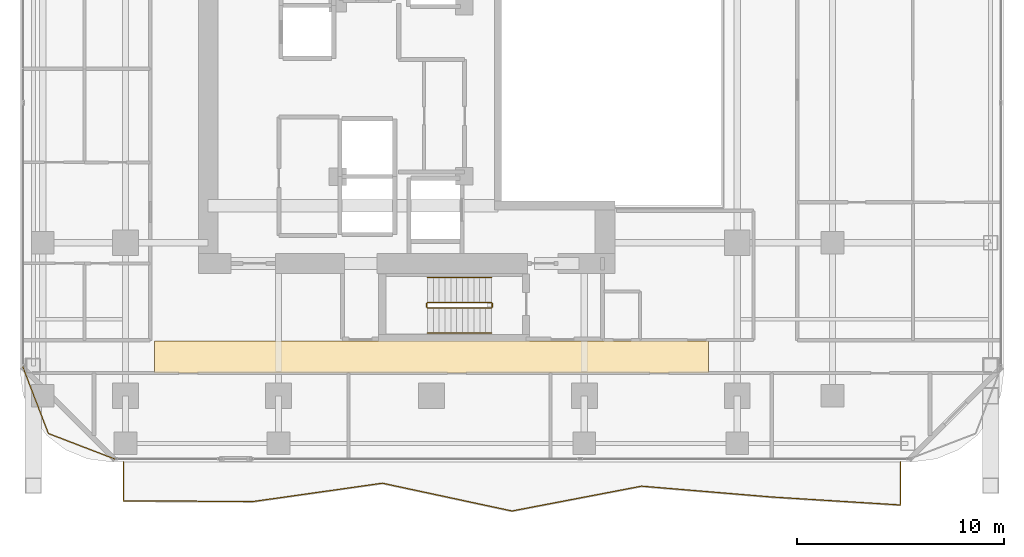
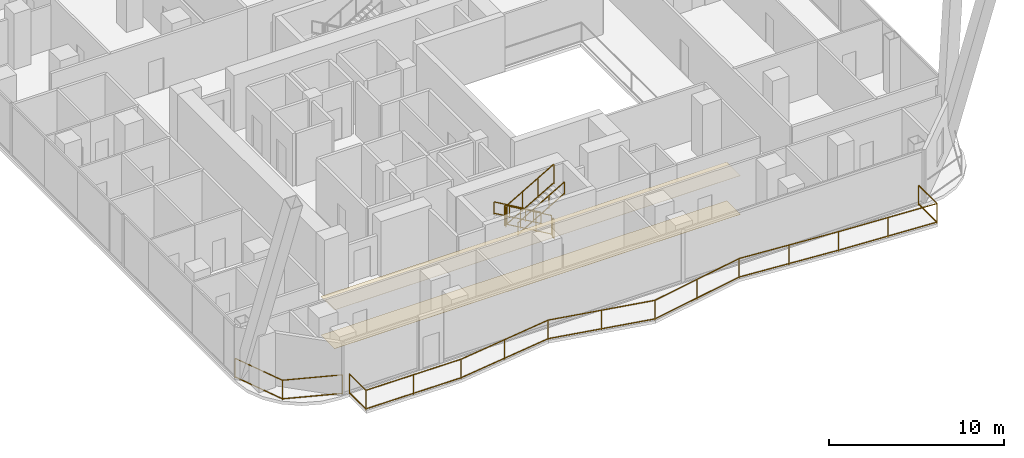
# One storey, part 26 of 28: 8 railings, 2 coverings.
"""IFC4 building model written with IfcOpenShell, lengths in metres."""

from ifc_helpers import new_model, si_unit, direction, frame, origin, origin_2d, place, context, subcontext, project, spatial, polyline, rectangle, outline, extrude, material, layer, layer_set, type_object, element, save


model = new_model("IFC4")

# Units and contexts
model_context = context("Model", 3, precision=1e-05, world=origin(), true_north=direction((0.0, 1.0)))
body_context = subcontext(model_context, "Body", "Model", "MODEL_VIEW")
ifc_project = project(units=[si_unit("LENGTHUNIT", "METRE"), si_unit("AREAUNIT", "SQUARE_METRE"), si_unit("VOLUMEUNIT", "CUBIC_METRE"), si_unit("PLANEANGLEUNIT", "RADIAN"), si_unit("MASSUNIT", "GRAM", prefix="KILO")], contexts=[model_context])

# Site, building, storey
site_placement = place(None, origin())
site = spatial("IfcSite", under=ifc_project, at=site_placement, CompositionType="ELEMENT")
building_placement = place(site_placement, origin())
building = spatial("IfcBuilding", under=site, at=building_placement, Name="Khorvyn Point Tower", CompositionType="ELEMENT")
storey_placement = place(building_placement, frame((0.0, 0.0, 121.199951171875)))
storey = spatial("IfcBuildingStorey", under=building, at=storey_placement, Name="L30", CompositionType="ELEMENT", Elevation=121.199951171875)

# Railings
ifc_material_1 = material(Name="Anodised aluminium 6063-T6 and laminated safety glass", Category="aluminium")
railing_type_1 = type_object("IfcRailingType", Name="Laminated Glass and Aluminium Balcony Guardrail 1400", PredefinedType="BALUSTRADE", material=ifc_material_1)
railing_1_placement = place(storey_placement, frame((-19.774169921875, -13.3759765625, 0.0)))
element("IfcRailing", 1, at=railing_1_placement, inside=storey, type_object=railing_type_1, Name="L30 Rounded Corner Edge Guardrail SW", PredefinedType="BALUSTRADE", context=body_context, shape_type="SweptSolid", body=[
    extrude(rectangle(XDim=0.048095703125, YDim=0.048095703125, at=origin_2d()), frame((0.0, 0.0, 1.3759765625), z_axis=(0.358382264808, -0.933574931257, 0.0), x_axis=(0.933574931257, 0.358382264808, 0.0)), (0.0, 0.0, 1.0), 3.481689453125),
    extrude(rectangle(XDim=0.048095703125, YDim=0.048095703125, at=origin_2d()), frame((0.0, 0.0, 0.080078125), z_axis=(0.358382264808, -0.933574931257, 0.0), x_axis=(0.933574931257, 0.358382264808, 0.0)), (0.0, 0.0, 1.0), 3.481689453125),
    extrude(rectangle(XDim=0.048095703125, YDim=0.048095703125, at=origin_2d()), frame((1.247802734375, -3.25048828125, 1.3759765625), z_axis=(0.933598390295, -0.358321148746, 0.0), x_axis=(0.358321148746, 0.933598390295, 0.0)), (0.0, 0.0, 1.0), 3.481689453125),
    extrude(rectangle(XDim=0.048095703125, YDim=0.048095703125, at=origin_2d()), frame((1.247802734375, -3.25048828125, 0.080078125), z_axis=(0.933598390295, -0.358321148746, 0.0), x_axis=(0.358321148746, 0.933598390295, 0.0)), (0.0, 0.0, 1.0), 3.481689453125),
    extrude(rectangle(XDim=0.0419921875, YDim=0.0419921875, at=origin_2d()), origin(), (0.0, 0.0, 1.0), 1.351806640625),
    extrude(rectangle(XDim=0.0419921875, YDim=0.0419921875, at=origin_2d()), frame((1.247802734375, -3.25048828125, 0.0)), (0.0, 0.0, 1.0), 1.351806640625),
    extrude(rectangle(XDim=0.0419921875, YDim=0.0419921875, at=origin_2d()), frame((4.498291015625, -4.498046875, 0.0)), (0.0, 0.0, 1.0), 1.351806640625),
])
railing_2_placement = place(storey_placement, frame((-14.89990234375, -18.0, 0.0)))
element("IfcRailing", 2, at=railing_2_placement, inside=storey, type_object=railing_type_1, Name="L30 South Balcony Guardrail", PredefinedType="BALUSTRADE", context=body_context, shape_type="SweptSolid", body=[
    extrude(rectangle(XDim=0.048095703125, YDim=0.048095703125, at=origin_2d()), frame((0.0, 0.0, 1.3759765625), z_axis=(0.0, -1.0, 0.0), x_axis=(1.0, 0.0, 0.0)), (0.0, 0.0, 1.0), 1.881591796875),
    extrude(rectangle(XDim=0.048095703125, YDim=0.048095703125, at=origin_2d()), frame((0.0, 0.0, 0.080078125), z_axis=(0.0, -1.0, 0.0), x_axis=(1.0, 0.0, 0.0)), (0.0, 0.0, 1.0), 1.881591796875),
    extrude(rectangle(XDim=0.048095703125, YDim=0.048095703125, at=origin_2d()), frame((0.0, -1.881591796875, 1.3759765625), z_axis=(0.999983823628, -0.005687924195, 0.0), x_axis=(0.005687924195, 0.999983823628, 0.0)), (0.0, 0.0, 1.0), 6.2666015625),
    extrude(rectangle(XDim=0.048095703125, YDim=0.048095703125, at=origin_2d()), frame((0.0, -1.881591796875, 0.080078125), z_axis=(0.999983823628, -0.005687924195, 0.0), x_axis=(0.005687924195, 0.999983823628, 0.0)), (0.0, 0.0, 1.0), 6.2666015625),
    extrude(rectangle(XDim=0.048095703125, YDim=0.048095703125, at=origin_2d()), frame((6.2666015625, -1.917236328125, 1.3759765625), z_axis=(0.990115445767, 0.14025478264, 0.0), x_axis=(-0.14025478264, 0.990115445767, 0.0)), (0.0, 0.0, 1.0), 6.3291015625),
    extrude(rectangle(XDim=0.048095703125, YDim=0.048095703125, at=origin_2d()), frame((6.2666015625, -1.917236328125, 0.080078125), z_axis=(0.990115445767, 0.14025478264, 0.0), x_axis=(-0.14025478264, 0.990115445767, 0.0)), (0.0, 0.0, 1.0), 6.3291015625),
    extrude(rectangle(XDim=0.048095703125, YDim=0.048095703125, at=origin_2d()), frame((12.533203125, -1.029541015625, 1.3759765625), z_axis=(0.977765606947, -0.209700781761, 0.0), x_axis=(0.209700781761, 0.977765606947, 0.0)), (0.0, 0.0, 1.0), 6.4091796875),
    extrude(rectangle(XDim=0.048095703125, YDim=0.048095703125, at=origin_2d()), frame((12.533203125, -1.029541015625, 0.080078125), z_axis=(0.977765606947, -0.209700781761, 0.0), x_axis=(0.209700781761, 0.977765606947, 0.0)), (0.0, 0.0, 1.0), 6.4091796875),
    extrude(rectangle(XDim=0.048095703125, YDim=0.048095703125, at=origin_2d()), frame((18.7998046875, -2.37353515625, 1.3759765625), z_axis=(0.982122245622, 0.188244242022, 0.0), x_axis=(-0.188244242022, 0.982122245622, 0.0)), (0.0, 0.0, 1.0), 6.380859375),
    extrude(rectangle(XDim=0.048095703125, YDim=0.048095703125, at=origin_2d()), frame((18.7998046875, -2.37353515625, 0.080078125), z_axis=(0.982122245622, 0.188244242022, 0.0), x_axis=(-0.188244242022, 0.982122245622, 0.0)), (0.0, 0.0, 1.0), 6.380859375),
    extrude(rectangle(XDim=0.048095703125, YDim=0.048095703125, at=origin_2d()), frame((25.066650390625, -1.17236328125, 1.3759765625), z_axis=(0.996536112454, -0.083161148234, 0.0), x_axis=(0.083161148234, 0.996536112454, 0.0)), (0.0, 0.0, 1.0), 6.288330078125),
    extrude(rectangle(XDim=0.048095703125, YDim=0.048095703125, at=origin_2d()), frame((25.066650390625, -1.17236328125, 0.080078125), z_axis=(0.996536112454, -0.083161148234, 0.0), x_axis=(0.083161148234, 0.996536112454, 0.0)), (0.0, 0.0, 1.0), 6.288330078125),
    extrude(rectangle(XDim=0.048095703125, YDim=0.048095703125, at=origin_2d()), frame((31.333251953125, -1.6953125, 1.3759765625), z_axis=(0.998086922603, -0.061826328773, 0.0), x_axis=(0.061826328773, 0.998086922603, 0.0)), (0.0, 0.0, 1.0), 6.278564453125),
    extrude(rectangle(XDim=0.048095703125, YDim=0.048095703125, at=origin_2d()), frame((31.333251953125, -1.6953125, 0.080078125), z_axis=(0.998086922603, -0.061826328773, 0.0), x_axis=(0.061826328773, 0.998086922603, 0.0)), (0.0, 0.0, 1.0), 6.278564453125),
    extrude(rectangle(XDim=0.048095703125, YDim=0.048095703125, at=origin_2d()), frame((37.599853515625, -2.08349609375, 1.3759765625), z_axis=(0.0, 1.0, 0.0), x_axis=(-1.0, 0.0, 0.0)), (0.0, 0.0, 1.0), 2.08349609375),
    extrude(rectangle(XDim=0.048095703125, YDim=0.048095703125, at=origin_2d()), frame((37.599853515625, -2.08349609375, 0.080078125), z_axis=(0.0, 1.0, 0.0), x_axis=(-1.0, 0.0, 0.0)), (0.0, 0.0, 1.0), 2.08349609375),
    extrude(rectangle(XDim=0.0419921875, YDim=0.0419921875, at=origin_2d()), origin(), (0.0, 0.0, 1.0), 1.351806640625),
    extrude(rectangle(XDim=0.0419921875, YDim=0.0419921875, at=origin_2d()), frame((0.0, -1.881591796875, 0.0)), (0.0, 0.0, 1.0), 1.351806640625),
    extrude(rectangle(XDim=0.0419921875, YDim=0.0419921875, at=origin_2d()), frame((3.13330078125, -1.8994140625, 0.0)), (0.0, 0.0, 1.0), 1.351806640625),
    extrude(rectangle(XDim=0.0419921875, YDim=0.0419921875, at=origin_2d()), frame((6.2666015625, -1.917236328125, 0.0)), (0.0, 0.0, 1.0), 1.351806640625),
    extrude(rectangle(XDim=0.0419921875, YDim=0.0419921875, at=origin_2d()), frame((9.39990234375, -1.473388671875, 0.0)), (0.0, 0.0, 1.0), 1.351806640625),
    extrude(rectangle(XDim=0.0419921875, YDim=0.0419921875, at=origin_2d()), frame((12.533203125, -1.029541015625, 0.0)), (0.0, 0.0, 1.0), 1.351806640625),
    extrude(rectangle(XDim=0.0419921875, YDim=0.0419921875, at=origin_2d()), frame((15.66650390625, -1.70166015625, 0.0)), (0.0, 0.0, 1.0), 1.351806640625),
    extrude(rectangle(XDim=0.0419921875, YDim=0.0419921875, at=origin_2d()), frame((18.7998046875, -2.37353515625, 0.0)), (0.0, 0.0, 1.0), 1.351806640625),
    extrude(rectangle(XDim=0.0419921875, YDim=0.0419921875, at=origin_2d()), frame((21.93310546875, -1.77294921875, 0.0)), (0.0, 0.0, 1.0), 1.351806640625),
    extrude(rectangle(XDim=0.0419921875, YDim=0.0419921875, at=origin_2d()), frame((25.066650390625, -1.17236328125, 0.0)), (0.0, 0.0, 1.0), 1.351806640625),
    extrude(rectangle(XDim=0.0419921875, YDim=0.0419921875, at=origin_2d()), frame((28.199951171875, -1.433837890625, 0.0)), (0.0, 0.0, 1.0), 1.351806640625),
    extrude(rectangle(XDim=0.0419921875, YDim=0.0419921875, at=origin_2d()), frame((31.333251953125, -1.6953125, 0.0)), (0.0, 0.0, 1.0), 1.351806640625),
    extrude(rectangle(XDim=0.0419921875, YDim=0.0419921875, at=origin_2d()), frame((34.466552734375, -1.889404296875, 0.0)), (0.0, 0.0, 1.0), 1.351806640625),
    extrude(rectangle(XDim=0.0419921875, YDim=0.0419921875, at=origin_2d()), frame((37.599853515625, -2.08349609375, 0.0)), (0.0, 0.0, 1.0), 1.351806640625),
    extrude(rectangle(XDim=0.0419921875, YDim=0.0419921875, at=origin_2d()), frame((37.599853515625, 0.0, 0.0)), (0.0, 0.0, 1.0), 1.351806640625),
])

# Coverings
ifc_material_2 = material(Name="Mineral-fibre acoustic ceiling board", Category="gypsum")
ifc_layer_1 = layer(ifc_material_2, 0.02001953125)
ifc_layer_set_1 = layer_set([ifc_layer_1], Name="Perforated Mineral-Fibre Acoustic Suspended Ceiling 20")
covering_type_1 = type_object("IfcCoveringType", Name="Perforated Mineral-Fibre Acoustic Suspended Ceiling 20", PredefinedType="CEILING", material=ifc_layer_set_1)
covering_1_placement = place(storey_placement, frame((0.0, 0.0, 2.699951171875)))
element("IfcCovering", 3, at=covering_1_placement, inside=storey, type_object=covering_type_1, Name="L30 South Corridor Acoustic Ceiling", PredefinedType="CEILING", context=body_context, shape_type="SweptSolid", body=[
    extrude(outline(polyline([(-13.39990234375, -13.7099609375), (13.39990234375, -13.7099609375), (13.39990234375, -12.139892578125), (-13.39990234375, -12.139892578125), (-13.39990234375, -13.7099609375)])), origin(), (0.0, 0.0, 1.0), 0.02001953125),
])
ifc_material_3 = material(Name="Vitrified porcelain terrazzo tile", Category="ceramic")
ifc_layer_2 = layer(ifc_material_3, 0.01806640625)
ifc_layer_set_2 = layer_set([ifc_layer_2], Name="Porcelain Terrazzo Corridor Floor Finish Tile 18")
covering_type_2 = type_object("IfcCoveringType", Name="Porcelain Terrazzo Corridor Floor Finish Tile 18", PredefinedType="FLOORING", material=ifc_layer_set_2)
covering_2_placement = place(storey_placement, origin())
element("IfcCovering", 4, at=covering_2_placement, inside=storey, type_object=covering_type_2, Name="L30 South Corridor Terrazzo Flooring", PredefinedType="FLOORING", context=body_context, shape_type="SweptSolid", body=[
    extrude(outline(polyline([(-13.39990234375, -13.7099609375), (13.39990234375, -13.7099609375), (13.39990234375, -12.139892578125), (-13.39990234375, -12.139892578125), (-13.39990234375, -13.7099609375)])), origin(), (0.0, 0.0, 1.0), 0.01806640625),
])

# Railings
ifc_material_4 = material(Name="Stainless steel 1.4301", Category="steel")
railing_type_2 = type_object("IfcRailingType", Name="Stainless Steel 304 Stair Pitch Handrail 900", PredefinedType="HANDRAIL", material=ifc_material_4)
railing_3_placement = place(storey_placement, frame((2.89990234375, -9.070068359375, 0.16259765625)))
element("IfcRailing", 5, at=railing_3_placement, inside=storey, type_object=railing_type_2, Name="L30 ST-01 stair handrail 1", PredefinedType="HANDRAIL", context=body_context, shape_type="SweptSolid", body=[
    extrude(rectangle(XDim=0.048095703125, YDim=0.048095703125, at=origin_2d()), frame((0.0, 0.0, 0.8759765625), z_axis=(-0.864903211148, 0.0, 0.501938676878), x_axis=(0.0, -1.0, 0.0)), (0.0, 0.0, 1.0), 3.560791015625),
    extrude(rectangle(XDim=0.048095703125, YDim=0.048095703125, at=origin_2d()), frame((0.0, 0.0, 0.080078125), z_axis=(-0.864903211148, 0.0, 0.501938676878), x_axis=(0.0, -1.0, 0.0)), (0.0, 0.0, 1.0), 3.560791015625),
    extrude(rectangle(XDim=0.0419921875, YDim=0.0419921875, at=origin_2d()), origin(), (0.0, 0.0, 1.0), 0.851806640625),
    extrude(rectangle(XDim=0.0419921875, YDim=0.0419921875, at=origin_2d()), frame((-1.026611328125, 0.0, 0.595703125)), (0.0, 0.0, 1.0), 0.851806640625),
    extrude(rectangle(XDim=0.0419921875, YDim=0.0419921875, at=origin_2d()), frame((-2.05322265625, 0.0, 1.191650390625)), (0.0, 0.0, 1.0), 0.851806640625),
    extrude(rectangle(XDim=0.0419921875, YDim=0.0419921875, at=origin_2d()), frame((-3.079833984375, 0.0, 1.787353515625)), (0.0, 0.0, 1.0), 0.851806640625),
])
railing_4_placement = place(storey_placement, frame((-0.179931640625, -11.77001953125, 2.112548828125)))
element("IfcRailing", 6, at=railing_4_placement, inside=storey, type_object=railing_type_2, Name="L30 ST-01 stair handrail 2", PredefinedType="HANDRAIL", context=body_context, shape_type="SweptSolid", body=[
    extrude(rectangle(XDim=0.048095703125, YDim=0.048095703125, at=origin_2d()), frame((0.0, 0.0, 0.8759765625), z_axis=(0.864873446163, 0.0, 0.501989962173), x_axis=(0.0, 1.0, 0.0)), (0.0, 0.0, 1.0), 3.56103515625),
    extrude(rectangle(XDim=0.048095703125, YDim=0.048095703125, at=origin_2d()), frame((0.0, 0.0, 0.080078125), z_axis=(0.864873446163, 0.0, 0.501989962173), x_axis=(0.0, 1.0, 0.0)), (0.0, 0.0, 1.0), 3.56103515625),
    extrude(rectangle(XDim=0.0419921875, YDim=0.0419921875, at=origin_2d()), origin(), (0.0, 0.0, 1.0), 0.851806640625),
    extrude(rectangle(XDim=0.0419921875, YDim=0.0419921875, at=origin_2d()), frame((1.026611328125, 0.0, 0.595947265625)), (0.0, 0.0, 1.0), 0.851806640625),
    extrude(rectangle(XDim=0.0419921875, YDim=0.0419921875, at=origin_2d()), frame((2.05322265625, 0.0, 1.191650390625)), (0.0, 0.0, 1.0), 0.851806640625),
    extrude(rectangle(XDim=0.0419921875, YDim=0.0419921875, at=origin_2d()), frame((3.079833984375, 0.0, 1.78759765625)), (0.0, 0.0, 1.0), 0.851806640625),
])
railing_type_3 = type_object("IfcRailingType", Name="Stainless Steel 304 Stair Well Guardrail 1400", PredefinedType="GUARDRAIL", material=ifc_material_4)
railing_5_placement = place(storey_placement, frame((2.89990234375, -10.2900390625, 0.16259765625)))
element("IfcRailing", 7, at=railing_5_placement, inside=storey, type_object=railing_type_3, Name="L30 ST-01 stair guard 1", PredefinedType="GUARDRAIL", context=body_context, shape_type="SweptSolid", body=[
    extrude(rectangle(XDim=0.048095703125, YDim=0.048095703125, at=origin_2d()), frame((0.0, 0.0, 1.3759765625), z_axis=(-0.864903211148, 0.0, 0.501938676878), x_axis=(0.0, -1.0, 0.0)), (0.0, 0.0, 1.0), 3.560791015625),
    extrude(rectangle(XDim=0.048095703125, YDim=0.048095703125, at=origin_2d()), frame((0.0, 0.0, 0.080078125), z_axis=(-0.864903211148, 0.0, 0.501938676878), x_axis=(0.0, -1.0, 0.0)), (0.0, 0.0, 1.0), 3.560791015625),
    extrude(rectangle(XDim=0.0419921875, YDim=0.0419921875, at=origin_2d()), origin(), (0.0, 0.0, 1.0), 1.351806640625),
    extrude(rectangle(XDim=0.0419921875, YDim=0.0419921875, at=origin_2d()), frame((-1.026611328125, 0.0, 0.595703125)), (0.0, 0.0, 1.0), 1.351806640625),
    extrude(rectangle(XDim=0.0419921875, YDim=0.0419921875, at=origin_2d()), frame((-2.05322265625, 0.0, 1.191650390625)), (0.0, 0.0, 1.0), 1.351806640625),
    extrude(rectangle(XDim=0.0419921875, YDim=0.0419921875, at=origin_2d()), frame((-3.079833984375, 0.0, 1.787353515625)), (0.0, 0.0, 1.0), 1.351806640625),
])
railing_6_placement = place(storey_placement, frame((-0.22998046875, -10.340087890625, 1.949951171875)))
element("IfcRailing", 8, at=railing_6_placement, inside=storey, type_object=railing_type_3, Name="L30 ST-01 stair guard 2", PredefinedType="GUARDRAIL", context=body_context, shape_type="SweptSolid", body=[
    extrude(rectangle(XDim=0.048095703125, YDim=0.048095703125, at=origin_2d()), frame((0.0, 0.0, 1.3759765625), z_axis=(0.0, -1.0, 0.0), x_axis=(1.0, 0.0, 0.0)), (0.0, 0.0, 1.0), 0.159912109375),
    extrude(rectangle(XDim=0.048095703125, YDim=0.048095703125, at=origin_2d()), frame((0.0, 0.0, 0.080078125), z_axis=(0.0, -1.0, 0.0), x_axis=(1.0, 0.0, 0.0)), (0.0, 0.0, 1.0), 0.159912109375),
    extrude(rectangle(XDim=0.0419921875, YDim=0.0419921875, at=origin_2d()), origin(), (0.0, 0.0, 1.0), 1.351806640625),
    extrude(rectangle(XDim=0.0419921875, YDim=0.0419921875, at=origin_2d()), frame((0.0, -0.159912109375, 0.0)), (0.0, 0.0, 1.0), 1.351806640625),
])
railing_7_placement = place(storey_placement, frame((-0.179931640625, -10.550048828125, 2.112548828125)))
element("IfcRailing", 9, at=railing_7_placement, inside=storey, type_object=railing_type_3, Name="L30 ST-01 stair guard 3", PredefinedType="GUARDRAIL", context=body_context, shape_type="SweptSolid", body=[
    extrude(rectangle(XDim=0.048095703125, YDim=0.048095703125, at=origin_2d()), frame((0.0, 0.0, 1.3759765625), z_axis=(0.864873446163, 0.0, 0.501989962173), x_axis=(0.0, 1.0, 0.0)), (0.0, 0.0, 1.0), 3.56103515625),
    extrude(rectangle(XDim=0.048095703125, YDim=0.048095703125, at=origin_2d()), frame((0.0, 0.0, 0.080078125), z_axis=(0.864873446163, 0.0, 0.501989962173), x_axis=(0.0, 1.0, 0.0)), (0.0, 0.0, 1.0), 3.56103515625),
    extrude(rectangle(XDim=0.0419921875, YDim=0.0419921875, at=origin_2d()), origin(), (0.0, 0.0, 1.0), 1.351806640625),
    extrude(rectangle(XDim=0.0419921875, YDim=0.0419921875, at=origin_2d()), frame((1.026611328125, 0.0, 0.595947265625)), (0.0, 0.0, 1.0), 1.351806640625),
    extrude(rectangle(XDim=0.0419921875, YDim=0.0419921875, at=origin_2d()), frame((2.05322265625, 0.0, 1.191650390625)), (0.0, 0.0, 1.0), 1.351806640625),
    extrude(rectangle(XDim=0.0419921875, YDim=0.0419921875, at=origin_2d()), frame((3.079833984375, 0.0, 1.78759765625)), (0.0, 0.0, 1.0), 1.351806640625),
])
railing_8_placement = place(storey_placement, frame((2.949951171875, -10.340087890625, 0.0)))
element("IfcRailing", 10, at=railing_8_placement, inside=storey, type_object=railing_type_3, Name="L30 ST-01 stair guard 4", PredefinedType="GUARDRAIL", context=body_context, shape_type="SweptSolid", body=[
    extrude(rectangle(XDim=0.048095703125, YDim=0.048095703125, at=origin_2d()), frame((0.0, 0.0, 1.3759765625), z_axis=(0.0, -1.0, 0.0), x_axis=(1.0, 0.0, 0.0)), (0.0, 0.0, 1.0), 0.159912109375),
    extrude(rectangle(XDim=0.048095703125, YDim=0.048095703125, at=origin_2d()), frame((0.0, 0.0, 0.080078125), z_axis=(0.0, -1.0, 0.0), x_axis=(1.0, 0.0, 0.0)), (0.0, 0.0, 1.0), 0.159912109375),
    extrude(rectangle(XDim=0.0419921875, YDim=0.0419921875, at=origin_2d()), origin(), (0.0, 0.0, 1.0), 1.351806640625),
    extrude(rectangle(XDim=0.0419921875, YDim=0.0419921875, at=origin_2d()), frame((0.0, -0.159912109375, 0.0)), (0.0, 0.0, 1.0), 1.351806640625),
])

save(model, "model.ifc")
